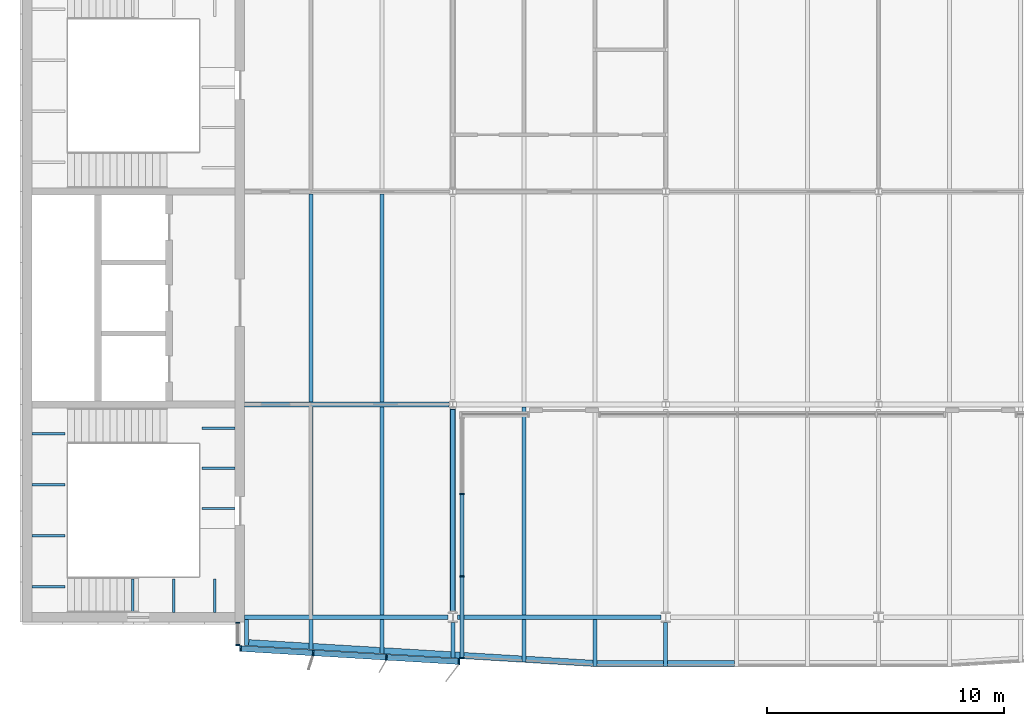
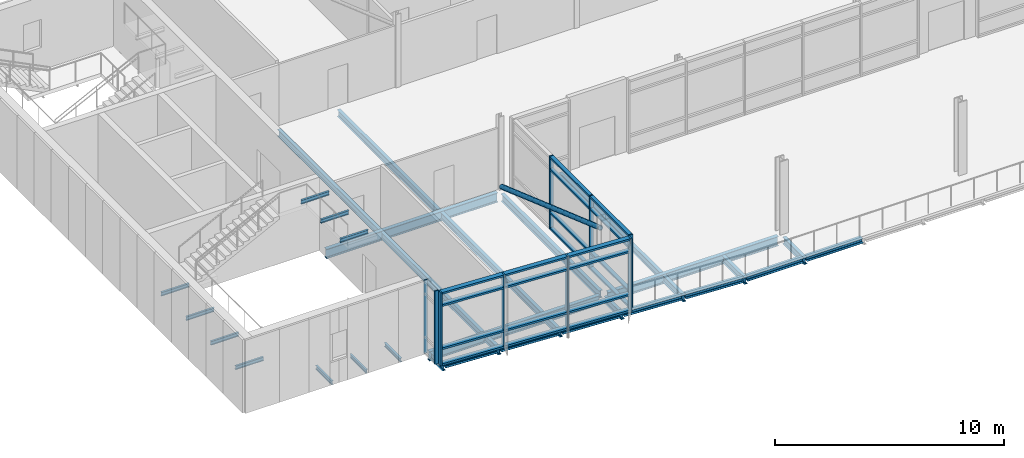
# One storey, part 2 of 19: 33 beams, 30 members, 3 elements without a shape of their own.
"""IFC4 building model written with IfcOpenShell, lengths in metres."""

from ifc_helpers import new_model, si_unit, direction, frame, origin, origin_2d, place, context, subcontext, project, spatial, rectangle, hollow_circle, i_section, extrude, material, material_profile, profile_set, type_object, element, aggregate, save


model = new_model("IFC4")

# Units and contexts
model_context = context("Model", 3, precision=1e-05, world=origin(), true_north=direction((0.0, 1.0)))
body_context = subcontext(model_context, "Body", "Model", "MODEL_VIEW")
ifc_project = project(units=[si_unit("LENGTHUNIT", "METRE"), si_unit("AREAUNIT", "SQUARE_METRE"), si_unit("VOLUMEUNIT", "CUBIC_METRE"), si_unit("PLANEANGLEUNIT", "RADIAN"), si_unit("MASSUNIT", "GRAM", prefix="KILO")], contexts=[model_context])

# Site, building, storey
site_placement = place(None, origin())
site = spatial("IfcSite", under=ifc_project, at=site_placement, CompositionType="ELEMENT")
building_placement = place(site_placement, origin())
building = spatial("IfcBuilding", under=site, at=building_placement, Name="Azimuth Sports and Learning Centre", CompositionType="ELEMENT")
storey_placement = place(building_placement, frame((0.0, 0.0, 67.5)))
storey = spatial("IfcBuildingStorey", under=building, at=storey_placement, Name="L15", CompositionType="ELEMENT", Elevation=67.5)

# Beams
ifc_material_1 = material(Name="Steel S355", Category="steel")
ifc_material_profile_1 = material_profile(ifc_material_1, i_section(OverallWidth=0.10009765625, OverallDepth=0.199951171875, WebThickness=0.005615234375, FlangeThickness=0.008544921875, FilletRadius=0.011962890625, at=origin_2d()), Name="IPE 200")
ifc_profile_set_1 = profile_set([ifc_material_profile_1], Name="Steel S355")
beam_type_1 = type_object("IfcBeamType", Name="Beam IPE 200", PredefinedType="BEAM", material=ifc_profile_set_1)
for number, where, z_axis, x_axis, name in (
    (1, (58.473388671875, 90.199951171875, -0.300048828125), (0.0, 1.0, 0.0), (-1.0, 0.0, 0.0), "Landing bracket W1 L15 149"),
    (2, (60.199951171875, 90.199951171875, -0.300048828125), (0.0, 1.0, 0.0), (-1.0, 0.0, 0.0), "Landing bracket W1 L15 150"),
    (3, (61.9267578125, 90.199951171875, -0.300048828125), (0.0, 1.0, 0.0), (-1.0, 0.0, 0.0), "Landing bracket W1 L15 151"),
    (4, (54.199951171875, 91.288818359375, 1.35009765625), (1.0, 0.0, 0.0), (0.0, 1.0, 0.0), "Landing bracket W1 L15 152"),
    (5, (54.199951171875, 93.4462890625, 1.35009765625), (1.0, 0.0, 0.0), (0.0, 1.0, 0.0), "Landing bracket W1 L15 153"),
    (6, (54.199951171875, 95.603759765625, 1.35009765625), (1.0, 0.0, 0.0), (0.0, 1.0, 0.0), "Landing bracket W1 L15 154"),
    (7, (54.199951171875, 97.76123046875, 1.35009765625), (1.0, 0.0, 0.0), (0.0, 1.0, 0.0), "Landing bracket W1 L15 155"),
    (8, (62.800048828125, 94.598388671875, 3.60009765625), (-1.0, 0.0, 0.0), (0.0, -1.0, 0.0), "Landing bracket W1 L15 156"),
    (9, (62.800048828125, 96.294921875, 3.60009765625), (-1.0, 0.0, 0.0), (0.0, -1.0, 0.0), "Landing bracket W1 L15 157"),
    (10, (62.800048828125, 97.99169921875, 3.60009765625), (-1.0, 0.0, 0.0), (0.0, -1.0, 0.0), "Landing bracket W1 L15 158"),
):
    element("IfcBeam", number, at=place(storey_placement, frame(where, z_axis=z_axis, x_axis=x_axis)), inside=storey, type_object=beam_type_1, Name=name, PredefinedType="BEAM", context=body_context, shape_type="SweptSolid", body=[
        extrude(i_section(OverallWidth=0.10009765625, OverallDepth=0.199951171875, WebThickness=0.005615234375, FlangeThickness=0.008544921875, FilletRadius=0.011962890625, at=origin_2d()), origin(), (0.0, 0.0, 1.0), 1.41015625),
    ])
ifc_material_2 = material(Name="Steel S355", Category="steel")
ifc_material_profile_2 = material_profile(ifc_material_2, i_section(OverallWidth=0.179931640625, OverallDepth=0.39990234375, WebThickness=0.008544921875, FlangeThickness=0.013427734375, FilletRadius=0.02099609375, at=origin_2d()), Name="IPE 400")
ifc_profile_set_2 = profile_set([ifc_material_profile_2], Name="Steel S355")
beam_type_2 = type_object("IfcBeamType", Name="Beam IPE 400", PredefinedType="BEAM", material=ifc_profile_set_2)
beam_1_placement = place(storey_placement, frame((72.0, 90.217529296875, -0.330078125), z_axis=(0.0, 1.0, 0.0), x_axis=(-1.0, 0.0, 0.0)))
element("IfcBeam", 11, at=beam_1_placement, inside=storey, type_object=beam_type_2, Name="Tower tie", PredefinedType="BEAM", context=body_context, shape_type="SweptSolid", body=[
    extrude(i_section(OverallWidth=0.179931640625, OverallDepth=0.39990234375, WebThickness=0.008544921875, FlangeThickness=0.013427734375, FilletRadius=0.02099609375, at=origin_2d()), origin(), (0.0, 0.0, 1.0), 8.56640625),
])
ifc_material_3 = material(Name="Steel S355", Category="steel")
ifc_material_profile_3 = material_profile(ifc_material_3, i_section(OverallWidth=0.199951171875, OverallDepth=0.5, WebThickness=0.01025390625, FlangeThickness=0.01611328125, FilletRadius=0.02099609375, at=origin_2d()), Name="IPE 500")
ifc_profile_set_3 = profile_set([ifc_material_profile_3], Name="Steel S355")
beam_type_3 = type_object("IfcBeamType", Name="Beam IPE 500", PredefinedType="BEAM", material=ifc_profile_set_3)
beam_2_placement = place(storey_placement, frame((63.199951171875, 90.0, -0.3798828125), z_axis=(1.0, 0.0, 0.0), x_axis=(0.0, 1.0, 0.0)))
element("IfcBeam", 12, at=beam_2_placement, inside=storey, type_object=beam_type_3, Name="Tower girder L15", PredefinedType="BEAM", context=body_context, shape_type="SweptSolid", body=[
    extrude(i_section(OverallWidth=0.199951171875, OverallDepth=0.5, WebThickness=0.01025390625, FlangeThickness=0.01611328125, FilletRadius=0.02099609375, at=origin_2d()), origin(), (0.0, 0.0, 1.0), 8.593994140625),
])
beam_3_placement = place(storey_placement, frame((72.2060546875, 90.0, -0.3798828125), z_axis=(1.0, 0.0, 0.0), x_axis=(0.0, 1.0, 0.0)))
element("IfcBeam", 13, at=beam_3_placement, inside=storey, type_object=beam_type_3, Name="Tower girder L15", PredefinedType="BEAM", context=body_context, shape_type="SweptSolid", body=[
    extrude(i_section(OverallWidth=0.199951171875, OverallDepth=0.5, WebThickness=0.01025390625, FlangeThickness=0.01611328125, FilletRadius=0.02099609375, at=origin_2d()), origin(), (0.0, 0.0, 1.0), 8.587890625),
])
beam_4_placement = place(storey_placement, frame((63.199951171875, 99.0, -0.3798828125), z_axis=(1.0, 0.0, 0.0), x_axis=(0.0, 1.0, 0.0)))
element("IfcBeam", 14, at=beam_4_placement, inside=storey, type_object=beam_type_3, Name="Tower girder L15", PredefinedType="BEAM", context=body_context, shape_type="SweptSolid", body=[
    extrude(i_section(OverallWidth=0.199951171875, OverallDepth=0.5, WebThickness=0.01025390625, FlangeThickness=0.01611328125, FilletRadius=0.02099609375, at=origin_2d()), origin(), (0.0, 0.0, 1.0), 8.646484375),
])

# Member
ifc_material_4 = material(Name="Steel S355", Category="steel")
ifc_material_profile_4 = material_profile(ifc_material_4, hollow_circle(Radius=0.122314453125, WallThickness=0.012451171875, at=origin_2d()), Name="CHS 244.5x12.5")
ifc_profile_set_4 = profile_set([ifc_material_profile_4], Name="Steel S355")
member_type_1 = type_object("IfcMemberType", Name="Brace CHS 244.5x12.5", PredefinedType="BRACE", material=ifc_profile_set_4)
member_1_placement = place(storey_placement, frame((72.0, 90.238037109375, 3.200439453125), z_axis=(0.0, 0.943274861537, -0.332012854558), x_axis=(-1.0, 0.0, 0.0)))
element("IfcMember", 15, at=member_1_placement, inside=storey, type_object=member_type_1, Name="Tower brace 9 L15", PredefinedType="BRACE", context=body_context, shape_type="SweptSolid", body=[
    extrude(hollow_circle(Radius=0.122314453125, WallThickness=0.012451171875, at=origin_2d()), origin(), (0.0, 0.0, 1.0), 9.129150390625),
])

# Beams
ifc_material_5 = material(Name="Steel S355", Category="steel")
ifc_material_profile_5 = material_profile(ifc_material_5, i_section(OverallWidth=0.169921875, OverallDepth=0.360107421875, WebThickness=0.008056640625, FlangeThickness=0.0126953125, FilletRadius=0.01806640625, at=origin_2d()), Name="IPE 360")
ifc_profile_set_5 = profile_set([ifc_material_profile_5], Name="Steel S355")
beam_type_4 = type_object("IfcBeamType", Name="Cantilever stub IPE 360", PredefinedType="JOIST", material=ifc_profile_set_5)
beam_5_placement = place(storey_placement, frame((63.284912109375, 89.89990234375, -0.31005859375), z_axis=(0.0, -1.0, 0.0), x_axis=(1.0, 0.0, 0.0)))
element("IfcBeam", 16, at=beam_5_placement, inside=storey, type_object=beam_type_4, Name="Tower cantilever stub", PredefinedType="JOIST", context=body_context, shape_type="SweptSolid", body=[
    extrude(i_section(OverallWidth=0.169921875, OverallDepth=0.360107421875, WebThickness=0.008056640625, FlangeThickness=0.0126953125, FilletRadius=0.01806640625, at=origin_2d()), origin(), (0.0, 0.0, 1.0), 1.096923828125),
])
beam_6_placement = place(storey_placement, frame((66.0, 89.89990234375, -0.31005859375), z_axis=(0.0, -1.0, 0.0), x_axis=(1.0, 0.0, 0.0)))
element("IfcBeam", 17, at=beam_6_placement, inside=storey, type_object=beam_type_4, Name="Tower cantilever stub", PredefinedType="JOIST", context=body_context, shape_type="SweptSolid", body=[
    extrude(i_section(OverallWidth=0.169921875, OverallDepth=0.360107421875, WebThickness=0.008056640625, FlangeThickness=0.0126953125, FilletRadius=0.01806640625, at=origin_2d()), origin(), (0.0, 0.0, 1.0), 1.260009765625),
])
beam_7_placement = place(storey_placement, frame((69.0, 89.89990234375, -0.31005859375), z_axis=(0.0, -1.0, 0.0), x_axis=(1.0, 0.0, 0.0)))
element("IfcBeam", 18, at=beam_7_placement, inside=storey, type_object=beam_type_4, Name="Tower cantilever stub", PredefinedType="JOIST", context=body_context, shape_type="SweptSolid", body=[
    extrude(i_section(OverallWidth=0.169921875, OverallDepth=0.360107421875, WebThickness=0.008056640625, FlangeThickness=0.0126953125, FilletRadius=0.01806640625, at=origin_2d()), origin(), (0.0, 0.0, 1.0), 1.43994140625),
])
beam_8_placement = place(storey_placement, frame((72.0, 89.782470703125, -0.31005859375), z_axis=(0.0, -1.0, 0.0), x_axis=(1.0, 0.0, 0.0)))
element("IfcBeam", 19, at=beam_8_placement, inside=storey, type_object=beam_type_4, Name="Tower cantilever stub", PredefinedType="JOIST", context=body_context, shape_type="SweptSolid", body=[
    extrude(i_section(OverallWidth=0.169921875, OverallDepth=0.360107421875, WebThickness=0.008056640625, FlangeThickness=0.0126953125, FilletRadius=0.01806640625, at=origin_2d()), origin(), (0.0, 0.0, 1.0), 1.50244140625),
])
beam_9_placement = place(storey_placement, frame((75.0, 89.89990234375, -0.31005859375), z_axis=(0.0, -1.0, 0.0), x_axis=(1.0, 0.0, 0.0)))
element("IfcBeam", 20, at=beam_9_placement, inside=storey, type_object=beam_type_4, Name="Tower cantilever stub", PredefinedType="JOIST", context=body_context, shape_type="SweptSolid", body=[
    extrude(i_section(OverallWidth=0.169921875, OverallDepth=0.360107421875, WebThickness=0.008056640625, FlangeThickness=0.0126953125, FilletRadius=0.01806640625, at=origin_2d()), origin(), (0.0, 0.0, 1.0), 1.7998046875),
])
beam_10_placement = place(storey_placement, frame((78.0, 89.89990234375, -0.31005859375), z_axis=(0.0, -1.0, 0.0), x_axis=(1.0, 0.0, 0.0)))
element("IfcBeam", 21, at=beam_10_placement, inside=storey, type_object=beam_type_4, Name="Tower cantilever stub", PredefinedType="JOIST", context=body_context, shape_type="SweptSolid", body=[
    extrude(i_section(OverallWidth=0.169921875, OverallDepth=0.360107421875, WebThickness=0.008056640625, FlangeThickness=0.0126953125, FilletRadius=0.01806640625, at=origin_2d()), origin(), (0.0, 0.0, 1.0), 1.97998046875),
])
beam_11_placement = place(storey_placement, frame((81.0, 89.782470703125, -0.31005859375), z_axis=(0.0, -1.0, 0.0), x_axis=(1.0, 0.0, 0.0)))
element("IfcBeam", 22, at=beam_11_placement, inside=storey, type_object=beam_type_4, Name="Tower cantilever stub", PredefinedType="JOIST", context=body_context, shape_type="SweptSolid", body=[
    extrude(i_section(OverallWidth=0.169921875, OverallDepth=0.360107421875, WebThickness=0.008056640625, FlangeThickness=0.0126953125, FilletRadius=0.01806640625, at=origin_2d()), origin(), (0.0, 0.0, 1.0), 1.862548828125),
])
ifc_material_6 = material(Name="Steel S355", Category="steel")
ifc_material_profile_6 = material_profile(ifc_material_6, i_section(OverallWidth=0.260009765625, OverallDepth=0.25, WebThickness=0.007568359375, FlangeThickness=0.012451171875, FilletRadius=0.02392578125, at=origin_2d()), Name="HEA 260")
ifc_profile_set_6 = profile_set([ifc_material_profile_6], Name="Steel S355")
beam_type_5 = type_object("IfcBeamType", Name="Edge beam HEA 260", PredefinedType="SPANDREL", material=ifc_profile_set_6)
beam_12_placement = place(storey_placement, frame((63.3701171875, 88.927734375, -0.2548828125), z_axis=(0.998207363591, -0.059850307199, 0.0), x_axis=(0.059850307199, 0.998207363591, 0.0)))
element("IfcBeam", 23, at=beam_12_placement, inside=storey, type_object=beam_type_5, Name="Tower edge beam", PredefinedType="SPANDREL", context=body_context, shape_type="SweptSolid", body=[
    extrude(i_section(OverallWidth=0.260009765625, OverallDepth=0.25, WebThickness=0.007568359375, FlangeThickness=0.012451171875, FilletRadius=0.02392578125, at=origin_2d()), origin(), (0.0, 0.0, 1.0), 2.549560546875),
])
for number, where, z_axis, x_axis, name in (
    (24, (66.0849609375, 88.764892578125, -0.2548828125), (0.998207521518, -0.059847673176, 0.0), (0.059847673176, 0.998207521518, 0.0), "Tower edge beam"),
    (25, (69.0849609375, 88.5849609375, -0.2548828125), (0.998202373506, -0.059933475842, 0.0), (0.059933475842, 0.998202373506, 0.0), "Tower edge beam"),
    (26, (72.0849609375, 88.40478515625, -0.2548828125), (0.998207521518, -0.059847673176, 0.0), (0.059847673176, 0.998207521518, 0.0), "Tower edge beam"),
    (27, (75.0849609375, 88.224853515625, -0.2548828125), (0.998207521518, -0.059847673176, 0.0), (0.059847673176, 0.998207521518, 0.0), "Tower edge beam"),
):
    element("IfcBeam", number, at=place(storey_placement, frame(where, z_axis=z_axis, x_axis=x_axis)), inside=storey, type_object=beam_type_5, Name=name, PredefinedType="SPANDREL", context=body_context, shape_type="SweptSolid", body=[
        extrude(i_section(OverallWidth=0.260009765625, OverallDepth=0.25, WebThickness=0.007568359375, FlangeThickness=0.012451171875, FilletRadius=0.02392578125, at=origin_2d()), origin(), (0.0, 0.0, 1.0), 2.835205078125),
    ])
for number, where, z_axis, x_axis, name in (
    (28, (78.0849609375, 88.050048828125, -0.2548828125), (1.0, 0.0, 0.0), (0.0, 1.0, 0.0), "Tower edge beam"),
    (29, (81.0849609375, 88.050048828125, -0.2548828125), (1.0, 0.0, 0.0), (0.0, 1.0, 0.0), "Tower edge beam"),
):
    element("IfcBeam", number, at=place(storey_placement, frame(where, z_axis=z_axis, x_axis=x_axis)), inside=storey, type_object=beam_type_5, Name=name, PredefinedType="SPANDREL", context=body_context, shape_type="SweptSolid", body=[
        extrude(i_section(OverallWidth=0.260009765625, OverallDepth=0.25, WebThickness=0.007568359375, FlangeThickness=0.012451171875, FilletRadius=0.02392578125, at=origin_2d()), origin(), (0.0, 0.0, 1.0), 2.830078125),
    ])
ifc_material_7 = material(Name="Steel S355", Category="steel")
ifc_material_profile_7 = material_profile(ifc_material_7, i_section(OverallWidth=0.169921875, OverallDepth=0.360107421875, WebThickness=0.008056640625, FlangeThickness=0.0126953125, FilletRadius=0.01806640625, at=origin_2d()), Name="IPE 360")
ifc_profile_set_7 = profile_set([ifc_material_profile_7], Name="Steel S355")
beam_type_6 = type_object("IfcBeamType", Name="Joist IPE 360", PredefinedType="JOIST", material=ifc_profile_set_7)
for number, where, z_axis, x_axis, name in (
    (30, (66.0, 90.10009765625, -0.31005859375), (0.0, 1.0, 0.0), (-1.0, 0.0, 0.0), "Tower joist"),
    (31, (66.0, 99.10009765625, -0.31005859375), (0.0, 1.0, 0.0), (-1.0, 0.0, 0.0), "Tower joist"),
    (32, (69.0, 90.10009765625, -0.31005859375), (0.0, 1.0, 0.0), (-1.0, 0.0, 0.0), "Tower joist"),
    (33, (69.0, 99.10009765625, -0.31005859375), (0.0, 1.0, 0.0), (-1.0, 0.0, 0.0), "Tower joist"),
    (34, (75.0, 90.10009765625, -0.31005859375), (0.0, 1.0, 0.0), (-1.0, 0.0, 0.0), "Tower joist"),
):
    element("IfcBeam", number, at=place(storey_placement, frame(where, z_axis=z_axis, x_axis=x_axis)), inside=storey, type_object=beam_type_6, Name=name, PredefinedType="JOIST", context=body_context, shape_type="SweptSolid", body=[
        extrude(i_section(OverallWidth=0.169921875, OverallDepth=0.360107421875, WebThickness=0.008056640625, FlangeThickness=0.0126953125, FilletRadius=0.01806640625, at=origin_2d()), origin(), (0.0, 0.0, 1.0), 8.7998046875),
    ])

# Curtain wall, members
ifc_material_8 = material(Name="Aluminium and glass", Category="aluminium")
curtain_wall_type_1 = type_object("IfcCurtainWallType", Name="Curtain wall tower return 180", PredefinedType="NOTDEFINED", material=ifc_material_8)
curtain_wall_1_placement = place(storey_placement, origin())
curtain_wall_1 = element("IfcCurtainWall", 35, at=curtain_wall_1_placement, inside=storey, type_object=curtain_wall_type_1, Name="Curtain wall CW15-001", PredefinedType="NOTDEFINED")
ifc_material_9 = material(Name="Aluminium", Category="aluminium")
ifc_material_profile_8 = material_profile(ifc_material_9, rectangle(XDim=0.179931640625, YDim=0.06005859375, at=origin_2d()), Name="Mullion 60x180")
ifc_profile_set_8 = profile_set([ifc_material_profile_8], Name="Aluminium")
member_type_2 = type_object("IfcMemberType", Name="Mullion 60x180", PredefinedType="MULLION", material=ifc_profile_set_8)
member_2_placement = place(storey_placement, frame((62.909912109375, 89.77001953125, 0.0), z_axis=(0.0, 0.0, 1.0), x_axis=(1.0, 0.0, 0.0)))
member_2 = element("IfcMember", 36, at=member_2_placement, type_object=member_type_2, Name="CW15-001 mullion 1", PredefinedType="MULLION", context=body_context, shape_type="SweptSolid", body=[
    extrude(rectangle(XDim=0.179931640625, YDim=0.06005859375, at=origin_2d()), origin(), (0.0, 0.0, 1.0), 3.89990234375),
])
member_3_placement = place(storey_placement, frame((62.909912109375, 88.830078125, 0.0), z_axis=(0.0, 0.0, 1.0), x_axis=(1.0, 0.0, 0.0)))
member_3 = element("IfcMember", 37, at=member_3_placement, type_object=member_type_2, Name="CW15-001 mullion 2", PredefinedType="MULLION", context=body_context, shape_type="SweptSolid", body=[
    extrude(rectangle(XDim=0.179931640625, YDim=0.06005859375, at=origin_2d()), origin(), (0.0, 0.0, 1.0), 3.89990234375),
])
aggregate(curtain_wall_1, [member_2, member_3])

curtain_wall_2_placement = place(storey_placement, origin())
curtain_wall_2 = element("IfcCurtainWall", 38, at=curtain_wall_2_placement, inside=storey, type_object=curtain_wall_type_1, Name="Curtain wall CW15-003", PredefinedType="NOTDEFINED")
member_4_placement = place(storey_placement, frame((72.389892578125, 88.27197265625, 0.0), z_axis=(0.0, 0.0, 1.0), x_axis=(-1.0, 0.0, 0.0)))
member_4 = element("IfcMember", 39, at=member_4_placement, type_object=member_type_2, Name="CW15-003 mullion 1", PredefinedType="MULLION", context=body_context, shape_type="SweptSolid", body=[
    extrude(rectangle(XDim=0.179931640625, YDim=0.06005859375, at=origin_2d()), origin(), (0.0, 0.0, 1.0), 3.89990234375),
])
member_5_placement = place(storey_placement, frame((72.389892578125, 91.72802734375, 0.0), z_axis=(0.0, 0.0, 1.0), x_axis=(-1.0, 0.0, 0.0)))
member_5 = element("IfcMember", 40, at=member_5_placement, type_object=member_type_2, Name="CW15-003 mullion 2", PredefinedType="MULLION", context=body_context, shape_type="SweptSolid", body=[
    extrude(rectangle(XDim=0.179931640625, YDim=0.06005859375, at=origin_2d()), origin(), (0.0, 0.0, 1.0), 3.89990234375),
])
member_6_placement = place(storey_placement, frame((72.389892578125, 95.214111328125, 0.0), z_axis=(0.0, 0.0, 1.0), x_axis=(-1.0, 0.0, 0.0)))
member_6 = element("IfcMember", 41, at=member_6_placement, type_object=member_type_2, Name="CW15-003 mullion 3", PredefinedType="MULLION", context=body_context, shape_type="SweptSolid", body=[
    extrude(rectangle(XDim=0.179931640625, YDim=0.06005859375, at=origin_2d()), origin(), (0.0, 0.0, 1.0), 3.89990234375),
])

ifc_material_10 = material(Name="Aluminium and glass", Category="aluminium")
curtain_wall_type_2 = type_object("IfcCurtainWallType", Name="Curtain wall tower south 240", PredefinedType="NOTDEFINED", material=ifc_material_10)
curtain_wall_3_placement = place(storey_placement, origin())
curtain_wall_3 = element("IfcCurtainWall", 42, at=curtain_wall_3_placement, inside=storey, type_object=curtain_wall_type_2, Name="Curtain wall CW15-002", PredefinedType="NOTDEFINED")
ifc_material_11 = material(Name="Aluminium", Category="aluminium")
ifc_material_profile_9 = material_profile(ifc_material_11, rectangle(XDim=0.239990234375, YDim=0.070068359375, at=origin_2d()), Name="Mullion 70x240")
ifc_profile_set_9 = profile_set([ifc_material_profile_9], Name="Aluminium")
member_type_3 = type_object("IfcMemberType", Name="Mullion 70x240", PredefinedType="MULLION", material=ifc_profile_set_9)
member_7_placement = place(storey_placement, frame((63.02783203125, 88.67822265625, 0.0), z_axis=(0.0, 0.0, 1.0), x_axis=(0.059891991812, 0.998204863401, 0.0)))
member_7 = element("IfcMember", 43, at=member_7_placement, type_object=member_type_3, Name="CW15-002 mullion 1", PredefinedType="MULLION", context=body_context, shape_type="SweptSolid", body=[
    extrude(rectangle(XDim=0.239990234375, YDim=0.070068359375, at=origin_2d()), origin(), (0.0, 0.0, 1.0), 3.89990234375),
])
member_8_placement = place(storey_placement, frame((66.0927734375, 88.494140625, 0.0), z_axis=(0.0, 0.0, 1.0), x_axis=(0.059891991812, 0.998204863401, 0.0)))
member_8 = element("IfcMember", 44, at=member_8_placement, type_object=member_type_3, Name="CW15-002 mullion 2", PredefinedType="MULLION", context=body_context, shape_type="SweptSolid", body=[
    extrude(rectangle(XDim=0.239990234375, YDim=0.070068359375, at=origin_2d()), origin(), (0.0, 0.0, 1.0), 3.89990234375),
])
member_9_placement = place(storey_placement, frame((69.19287109375, 88.30810546875, 0.0), z_axis=(0.0, 0.0, 1.0), x_axis=(0.059891991812, 0.998204863401, 0.0)))
member_9 = element("IfcMember", 45, at=member_9_placement, type_object=member_type_3, Name="CW15-002 mullion 3", PredefinedType="MULLION", context=body_context, shape_type="SweptSolid", body=[
    extrude(rectangle(XDim=0.239990234375, YDim=0.070068359375, at=origin_2d()), origin(), (0.0, 0.0, 1.0), 3.89990234375),
])
member_10_placement = place(storey_placement, frame((72.2578125, 88.124267578125, 0.0), z_axis=(0.0, 0.0, 1.0), x_axis=(0.059891991812, 0.998204863401, 0.0)))
member_10 = element("IfcMember", 46, at=member_10_placement, type_object=member_type_3, Name="CW15-002 mullion 4", PredefinedType="MULLION", context=body_context, shape_type="SweptSolid", body=[
    extrude(rectangle(XDim=0.239990234375, YDim=0.070068359375, at=origin_2d()), origin(), (0.0, 0.0, 1.0), 3.89990234375),
])

# Member
ifc_material_12 = material(Name="Aluminium", Category="aluminium")
ifc_material_profile_10 = material_profile(ifc_material_12, rectangle(XDim=0.179931640625, YDim=0.10009765625, at=origin_2d()), Name="Transom 100x180")
ifc_profile_set_10 = profile_set([ifc_material_profile_10], Name="Aluminium")
member_type_4 = type_object("IfcMemberType", Name="Transom 100x180", PredefinedType="USERDEFINED", material=ifc_profile_set_10)
member_11_placement = place(storey_placement, frame((72.389892578125, 88.302001953125, 0.050048828125), z_axis=(0.0, 1.0, 0.0), x_axis=(-1.0, 0.0, 0.0)))
member_11 = element("IfcMember", 47, at=member_11_placement, type_object=member_type_4, Name="CW15-003 transom 1.1", ObjectType="TRANSOM", PredefinedType="USERDEFINED", context=body_context, shape_type="SweptSolid", body=[
    extrude(rectangle(XDim=0.179931640625, YDim=0.10009765625, at=origin_2d()), origin(), (0.0, 0.0, 1.0), 3.39599609375),
])

member_12_placement = place(storey_placement, frame((72.389892578125, 88.302001953125, 0.89990234375), z_axis=(0.0, 1.0, 0.0), x_axis=(-1.0, 0.0, 0.0)))
member_12 = element("IfcMember", 48, at=member_12_placement, type_object=member_type_4, Name="CW15-003 transom 1.2", ObjectType="TRANSOM", PredefinedType="USERDEFINED", context=body_context, shape_type="SweptSolid", body=[
    extrude(rectangle(XDim=0.179931640625, YDim=0.10009765625, at=origin_2d()), origin(), (0.0, 0.0, 1.0), 3.39599609375),
])

member_13_placement = place(storey_placement, frame((72.389892578125, 88.302001953125, 3.199951171875), z_axis=(0.0, 1.0, 0.0), x_axis=(-1.0, 0.0, 0.0)))
member_13 = element("IfcMember", 49, at=member_13_placement, type_object=member_type_4, Name="CW15-003 transom 1.3", ObjectType="TRANSOM", PredefinedType="USERDEFINED", context=body_context, shape_type="SweptSolid", body=[
    extrude(rectangle(XDim=0.179931640625, YDim=0.10009765625, at=origin_2d()), origin(), (0.0, 0.0, 1.0), 3.39599609375),
])

member_14_placement = place(storey_placement, frame((72.389892578125, 88.302001953125, 3.85009765625), z_axis=(0.0, 1.0, 0.0), x_axis=(-1.0, 0.0, 0.0)))
member_14 = element("IfcMember", 50, at=member_14_placement, type_object=member_type_4, Name="CW15-003 transom 1.4", ObjectType="TRANSOM", PredefinedType="USERDEFINED", context=body_context, shape_type="SweptSolid", body=[
    extrude(rectangle(XDim=0.179931640625, YDim=0.10009765625, at=origin_2d()), origin(), (0.0, 0.0, 1.0), 3.39599609375),
])

member_15_placement = place(storey_placement, frame((72.389892578125, 91.758056640625, 0.050048828125), z_axis=(0.0, 1.0, 0.0), x_axis=(-1.0, 0.0, 0.0)))
member_15 = element("IfcMember", 51, at=member_15_placement, type_object=member_type_4, Name="CW15-003 transom 2.1", ObjectType="TRANSOM", PredefinedType="USERDEFINED", context=body_context, shape_type="SweptSolid", body=[
    extrude(rectangle(XDim=0.179931640625, YDim=0.10009765625, at=origin_2d()), origin(), (0.0, 0.0, 1.0), 3.426025390625),
])

member_16_placement = place(storey_placement, frame((72.389892578125, 91.758056640625, 0.89990234375), z_axis=(0.0, 1.0, 0.0), x_axis=(-1.0, 0.0, 0.0)))
member_16 = element("IfcMember", 52, at=member_16_placement, type_object=member_type_4, Name="CW15-003 transom 2.2", ObjectType="TRANSOM", PredefinedType="USERDEFINED", context=body_context, shape_type="SweptSolid", body=[
    extrude(rectangle(XDim=0.179931640625, YDim=0.10009765625, at=origin_2d()), origin(), (0.0, 0.0, 1.0), 3.426025390625),
])

member_17_placement = place(storey_placement, frame((72.389892578125, 91.758056640625, 3.199951171875), z_axis=(0.0, 1.0, 0.0), x_axis=(-1.0, 0.0, 0.0)))
member_17 = element("IfcMember", 53, at=member_17_placement, type_object=member_type_4, Name="CW15-003 transom 2.3", ObjectType="TRANSOM", PredefinedType="USERDEFINED", context=body_context, shape_type="SweptSolid", body=[
    extrude(rectangle(XDim=0.179931640625, YDim=0.10009765625, at=origin_2d()), origin(), (0.0, 0.0, 1.0), 3.426025390625),
])

member_18_placement = place(storey_placement, frame((72.389892578125, 91.758056640625, 3.85009765625), z_axis=(0.0, 1.0, 0.0), x_axis=(-1.0, 0.0, 0.0)))
member_18 = element("IfcMember", 54, at=member_18_placement, type_object=member_type_4, Name="CW15-003 transom 2.4", ObjectType="TRANSOM", PredefinedType="USERDEFINED", context=body_context, shape_type="SweptSolid", body=[
    extrude(rectangle(XDim=0.179931640625, YDim=0.10009765625, at=origin_2d()), origin(), (0.0, 0.0, 1.0), 3.426025390625),
])

aggregate(curtain_wall_2, [member_4, member_5, member_6, member_11, member_12, member_13, member_14, member_15, member_16, member_17, member_18])

ifc_material_13 = material(Name="Aluminium", Category="aluminium")
ifc_material_profile_11 = material_profile(ifc_material_13, rectangle(XDim=0.239990234375, YDim=0.10009765625, at=origin_2d()), Name="Transom 100x240")
ifc_profile_set_11 = profile_set([ifc_material_profile_11], Name="Aluminium")
member_type_5 = type_object("IfcMemberType", Name="Transom 100x240", PredefinedType="USERDEFINED", material=ifc_profile_set_11)
member_19_placement = place(storey_placement, frame((63.062744140625, 88.676025390625, 0.050048828125), z_axis=(0.998205234603, -0.05988580475, 0.0), x_axis=(0.05988580475, 0.998205234603, 0.0)))
member_19 = element("IfcMember", 55, at=member_19_placement, type_object=member_type_5, Name="CW15-002 transom 1.1", ObjectType="TRANSOM", PredefinedType="USERDEFINED", context=body_context, shape_type="SweptSolid", body=[
    extrude(rectangle(XDim=0.239990234375, YDim=0.10009765625, at=origin_2d()), origin(), (0.0, 0.0, 1.0), 3.00048828125),
])

member_20_placement = place(storey_placement, frame((63.062744140625, 88.676025390625, 0.89990234375), z_axis=(0.998205234603, -0.05988580475, 0.0), x_axis=(0.05988580475, 0.998205234603, 0.0)))
member_20 = element("IfcMember", 56, at=member_20_placement, type_object=member_type_5, Name="CW15-002 transom 1.2", ObjectType="TRANSOM", PredefinedType="USERDEFINED", context=body_context, shape_type="SweptSolid", body=[
    extrude(rectangle(XDim=0.239990234375, YDim=0.10009765625, at=origin_2d()), origin(), (0.0, 0.0, 1.0), 3.00048828125),
])

member_21_placement = place(storey_placement, frame((63.062744140625, 88.676025390625, 3.199951171875), z_axis=(0.998205234603, -0.05988580475, 0.0), x_axis=(0.05988580475, 0.998205234603, 0.0)))
member_21 = element("IfcMember", 57, at=member_21_placement, type_object=member_type_5, Name="CW15-002 transom 1.3", ObjectType="TRANSOM", PredefinedType="USERDEFINED", context=body_context, shape_type="SweptSolid", body=[
    extrude(rectangle(XDim=0.239990234375, YDim=0.10009765625, at=origin_2d()), origin(), (0.0, 0.0, 1.0), 3.00048828125),
])

member_22_placement = place(storey_placement, frame((63.062744140625, 88.676025390625, 3.85009765625), z_axis=(0.998205234603, -0.05988580475, 0.0), x_axis=(0.05988580475, 0.998205234603, 0.0)))
member_22 = element("IfcMember", 58, at=member_22_placement, type_object=member_type_5, Name="CW15-002 transom 1.4", ObjectType="TRANSOM", PredefinedType="USERDEFINED", context=body_context, shape_type="SweptSolid", body=[
    extrude(rectangle(XDim=0.239990234375, YDim=0.10009765625, at=origin_2d()), origin(), (0.0, 0.0, 1.0), 3.00048828125),
])

member_23_placement = place(storey_placement, frame((66.127685546875, 88.4921875, 0.050048828125), z_axis=(0.998203498963, -0.059914728225, 0.0), x_axis=(0.059914728225, 0.998203498963, 0.0)))
member_23 = element("IfcMember", 59, at=member_23_placement, type_object=member_type_5, Name="CW15-002 transom 2.1", ObjectType="TRANSOM", PredefinedType="USERDEFINED", context=body_context, shape_type="SweptSolid", body=[
    extrude(rectangle(XDim=0.239990234375, YDim=0.10009765625, at=origin_2d()), origin(), (0.0, 0.0, 1.0), 3.03564453125),
])

member_24_placement = place(storey_placement, frame((66.127685546875, 88.4921875, 0.89990234375), z_axis=(0.998203498963, -0.059914728225, 0.0), x_axis=(0.059914728225, 0.998203498963, 0.0)))
member_24 = element("IfcMember", 60, at=member_24_placement, type_object=member_type_5, Name="CW15-002 transom 2.2", ObjectType="TRANSOM", PredefinedType="USERDEFINED", context=body_context, shape_type="SweptSolid", body=[
    extrude(rectangle(XDim=0.239990234375, YDim=0.10009765625, at=origin_2d()), origin(), (0.0, 0.0, 1.0), 3.03564453125),
])

member_25_placement = place(storey_placement, frame((66.127685546875, 88.4921875, 3.199951171875), z_axis=(0.998203498963, -0.059914728225, 0.0), x_axis=(0.059914728225, 0.998203498963, 0.0)))
member_25 = element("IfcMember", 61, at=member_25_placement, type_object=member_type_5, Name="CW15-002 transom 2.3", ObjectType="TRANSOM", PredefinedType="USERDEFINED", context=body_context, shape_type="SweptSolid", body=[
    extrude(rectangle(XDim=0.239990234375, YDim=0.10009765625, at=origin_2d()), origin(), (0.0, 0.0, 1.0), 3.03564453125),
])

member_26_placement = place(storey_placement, frame((66.127685546875, 88.4921875, 3.85009765625), z_axis=(0.998203498963, -0.059914728225, 0.0), x_axis=(0.059914728225, 0.998203498963, 0.0)))
member_26 = element("IfcMember", 62, at=member_26_placement, type_object=member_type_5, Name="CW15-002 transom 2.4", ObjectType="TRANSOM", PredefinedType="USERDEFINED", context=body_context, shape_type="SweptSolid", body=[
    extrude(rectangle(XDim=0.239990234375, YDim=0.10009765625, at=origin_2d()), origin(), (0.0, 0.0, 1.0), 3.03564453125),
])

member_27_placement = place(storey_placement, frame((69.227783203125, 88.30615234375, 0.050048828125), z_axis=(0.998205234603, -0.05988580475, 0.0), x_axis=(0.05988580475, 0.998205234603, 0.0)))
member_27 = element("IfcMember", 63, at=member_27_placement, type_object=member_type_5, Name="CW15-002 transom 3.1", ObjectType="TRANSOM", PredefinedType="USERDEFINED", context=body_context, shape_type="SweptSolid", body=[
    extrude(rectangle(XDim=0.239990234375, YDim=0.10009765625, at=origin_2d()), origin(), (0.0, 0.0, 1.0), 3.00048828125),
])

member_28_placement = place(storey_placement, frame((69.227783203125, 88.30615234375, 0.89990234375), z_axis=(0.998205234603, -0.05988580475, 0.0), x_axis=(0.05988580475, 0.998205234603, 0.0)))
member_28 = element("IfcMember", 64, at=member_28_placement, type_object=member_type_5, Name="CW15-002 transom 3.2", ObjectType="TRANSOM", PredefinedType="USERDEFINED", context=body_context, shape_type="SweptSolid", body=[
    extrude(rectangle(XDim=0.239990234375, YDim=0.10009765625, at=origin_2d()), origin(), (0.0, 0.0, 1.0), 3.00048828125),
])

member_29_placement = place(storey_placement, frame((69.227783203125, 88.30615234375, 3.199951171875), z_axis=(0.998205234603, -0.05988580475, 0.0), x_axis=(0.05988580475, 0.998205234603, 0.0)))
member_29 = element("IfcMember", 65, at=member_29_placement, type_object=member_type_5, Name="CW15-002 transom 3.3", ObjectType="TRANSOM", PredefinedType="USERDEFINED", context=body_context, shape_type="SweptSolid", body=[
    extrude(rectangle(XDim=0.239990234375, YDim=0.10009765625, at=origin_2d()), origin(), (0.0, 0.0, 1.0), 3.00048828125),
])

member_30_placement = place(storey_placement, frame((69.227783203125, 88.30615234375, 3.85009765625), z_axis=(0.998205234603, -0.05988580475, 0.0), x_axis=(0.05988580475, 0.998205234603, 0.0)))
member_30 = element("IfcMember", 66, at=member_30_placement, type_object=member_type_5, Name="CW15-002 transom 3.4", ObjectType="TRANSOM", PredefinedType="USERDEFINED", context=body_context, shape_type="SweptSolid", body=[
    extrude(rectangle(XDim=0.239990234375, YDim=0.10009765625, at=origin_2d()), origin(), (0.0, 0.0, 1.0), 3.00048828125),
])

aggregate(curtain_wall_3, [member_7, member_8, member_9, member_10, member_19, member_20, member_21, member_22, member_23, member_24, member_25, member_26, member_27, member_28, member_29, member_30])

save(model, "model.ifc")
